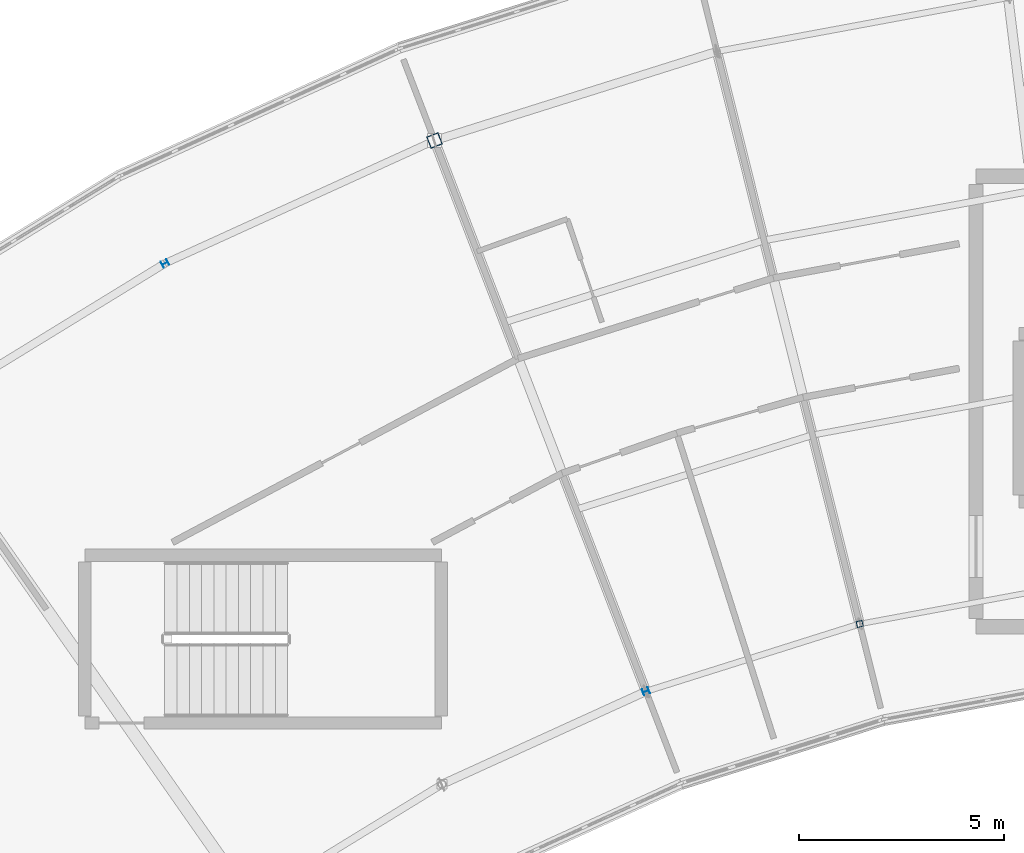
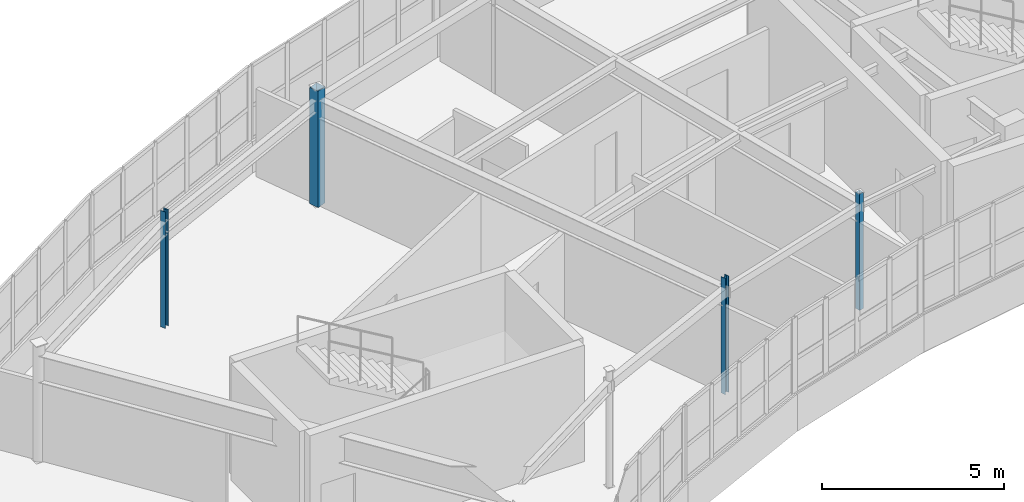
# One storey, part 7 of 65: 4 columns.
"""IFC4 building model written with IfcOpenShell, lengths in metres."""

from ifc_helpers import new_model, si_unit, direction, frame, origin, origin_2d, place, context, subcontext, project, spatial, hollow_rectangle, i_section, extrude, material, material_profile, profile_set, type_object, element, save


model = new_model("IFC4")

# Units and contexts
model_context = context("Model", 3, precision=1e-05, world=origin(), true_north=direction((0.0, 1.0)))
body_context = subcontext(model_context, "Body", "Model", "MODEL_VIEW")
ifc_project = project(units=[si_unit("LENGTHUNIT", "METRE"), si_unit("AREAUNIT", "SQUARE_METRE"), si_unit("VOLUMEUNIT", "CUBIC_METRE"), si_unit("PLANEANGLEUNIT", "RADIAN"), si_unit("MASSUNIT", "GRAM", prefix="KILO")], contexts=[model_context])

# Site, building, storey
site_placement = place(None, origin())
site = spatial("IfcSite", under=ifc_project, at=site_placement, CompositionType="ELEMENT")
building_placement = place(site_placement, origin())
building = spatial("IfcBuilding", under=site, at=building_placement, Name="Tarnwether General Hospital", CompositionType="ELEMENT")
storey_placement = place(building_placement, frame((0.0, 0.0, 22.199951171875)))
storey = spatial("IfcBuildingStorey", under=building, at=storey_placement, Name="L05", CompositionType="ELEMENT", Elevation=22.199951171875)

# Columns
ifc_material_1 = material(Name="Steel Grade 350 (350 MPa)", Category="steel")
ifc_material_profile_1 = material_profile(ifc_material_1, i_section(OverallWidth=0.154052734375, OverallDepth=0.162109375, WebThickness=0.008056640625, FlangeThickness=0.011474609375, at=origin_2d()), Name="150UC37.2")
ifc_profile_set_1 = profile_set([ifc_material_profile_1], Name="Steel Grade 350 (350 MPa)")
column_type_1 = type_object("IfcColumnType", Name="COL-28", PredefinedType="COLUMN", material=ifc_profile_set_1)
column_1_placement = place(storey_placement, frame((64.20703125, 115.27001953125, 0.0), z_axis=(0.0, 0.0, 1.0), x_axis=(-0.469471562786, 0.882947592859, 0.0)))
element("IfcColumn", 1, at=column_1_placement, inside=storey, type_object=column_type_1, Name="Column COLG-L05-6421_11527", PredefinedType="COLUMN", context=body_context, shape_type="SweptSolid", body=[
    extrude(i_section(OverallWidth=0.154052734375, OverallDepth=0.162109375, WebThickness=0.008056640625, FlangeThickness=0.011474609375, at=origin_2d()), origin(), (0.0, 0.0, 1.0), 3.900146484375),
])
ifc_material_2 = material(Name="Steel Grade C350L0 (350 MPa)", Category="steel")
ifc_material_profile_2 = material_profile(ifc_material_2, hollow_rectangle(XDim=0.300048828125, YDim=0.300048828125, WallThickness=0.012451171875, at=origin_2d()), Name="SHS300x300x12.5")
ifc_profile_set_2 = profile_set([ifc_material_profile_2], Name="Steel Grade C350L0 (350 MPa)")
column_type_2 = type_object("IfcColumnType", Name="COL-30", PredefinedType="COLUMN", material=ifc_profile_set_2)
column_2_placement = place(storey_placement, frame((70.784912109375, 118.26806640625, 0.0), z_axis=(0.0, 0.0, 1.0), x_axis=(-0.358367949545, 0.933580426497, 0.0)))
element("IfcColumn", 2, at=column_2_placement, inside=storey, type_object=column_type_2, Name="Column COLG-L05-7078_11827", PredefinedType="COLUMN", context=body_context, shape_type="SweptSolid", body=[
    extrude(hollow_rectangle(XDim=0.300048828125, YDim=0.300048828125, WallThickness=0.012451171875, at=origin_2d()), origin(), (0.0, 0.0, 1.0), 3.900146484375),
])
ifc_material_3 = material(Name="Steel Grade 350 (350 MPa)", Category="steel")
ifc_material_profile_3 = material_profile(ifc_material_3, i_section(OverallWidth=0.153076171875, OverallDepth=0.157958984375, WebThickness=0.006591796875, FlangeThickness=0.009521484375, at=origin_2d()), Name="150UC30.0")
ifc_profile_set_3 = profile_set([ifc_material_profile_3], Name="Steel Grade 350 (350 MPa)")
column_type_3 = type_object("IfcColumnType", Name="COL-31", PredefinedType="COLUMN", material=ifc_profile_set_3)
column_3_placement = place(storey_placement, frame((75.945068359375, 104.823974609375, 0.0), z_axis=(0.0, 0.0, 1.0), x_axis=(-0.358367949545, 0.933580426497, 0.0)))
element("IfcColumn", 3, at=column_3_placement, inside=storey, type_object=column_type_3, Name="Column COLG-L05-7594_10482", PredefinedType="COLUMN", context=body_context, shape_type="SweptSolid", body=[
    extrude(i_section(OverallWidth=0.153076171875, OverallDepth=0.157958984375, WebThickness=0.006591796875, FlangeThickness=0.009521484375, at=origin_2d()), origin(), (0.0, 0.0, 1.0), 3.900146484375),
])
ifc_material_4 = material(Name="Steel Grade C350L0 (350 MPa)", Category="steel")
ifc_material_profile_4 = material_profile(ifc_material_4, hollow_rectangle(XDim=0.14990234375, YDim=0.14990234375, WallThickness=0.008056640625, at=origin_2d()), Name="SHS150x150x8")
ifc_profile_set_4 = profile_set([ifc_material_profile_4], Name="Steel Grade C350L0 (350 MPa)")
column_type_4 = type_object("IfcColumnType", Name="COL-33", PredefinedType="COLUMN", material=ifc_profile_set_4)
column_4_placement = place(storey_placement, frame((81.162109375, 106.468994140625, 0.0), z_axis=(0.0, 0.0, 1.0), x_axis=(-0.2419218956, 0.970295726276, 0.0)))
element("IfcColumn", 4, at=column_4_placement, inside=storey, type_object=column_type_4, Name="Column COLG-L05-8116_10647", PredefinedType="COLUMN", context=body_context, shape_type="SweptSolid", body=[
    extrude(hollow_rectangle(XDim=0.14990234375, YDim=0.14990234375, WallThickness=0.008056640625, at=origin_2d()), origin(), (0.0, 0.0, 1.0), 3.900146484375),
])

save(model, "model.ifc")
